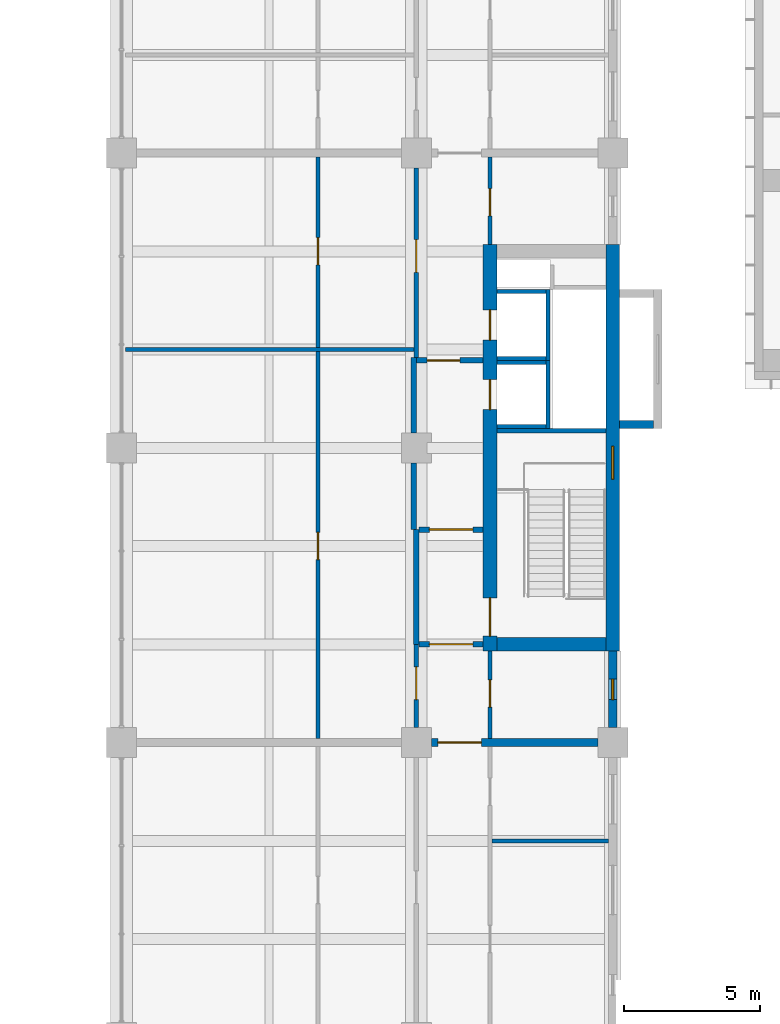
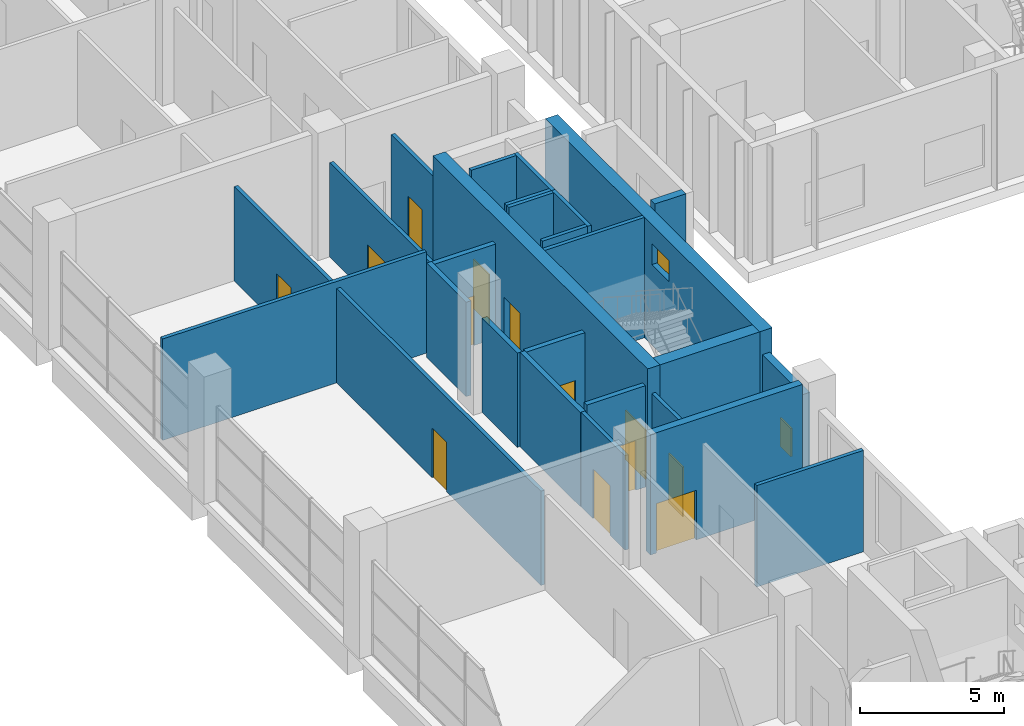
# One storey, part 22 of 33: 27 walls, 13 doors, 2 windows, 15 openings.
"""IFC4 building model written with IfcOpenShell, lengths in metres."""

from ifc_helpers import new_model, si_unit, direction, frame, frame_2d, origin, place, context, subcontext, project, spatial, rectangle, extrude, material, layer, layer_set, type_object, element, fill, save


model = new_model("IFC4")

# Units and contexts
model_context = context("Model", 3, precision=1e-05, world=origin(), true_north=direction((0.0, 1.0)))
body_context = subcontext(model_context, "Body", "Model", "MODEL_VIEW")
ifc_project = project(units=[si_unit("LENGTHUNIT", "METRE"), si_unit("AREAUNIT", "SQUARE_METRE"), si_unit("VOLUMEUNIT", "CUBIC_METRE"), si_unit("PLANEANGLEUNIT", "RADIAN"), si_unit("MASSUNIT", "GRAM", prefix="KILO")], contexts=[model_context])

# Site, building, storey
site_placement = place(None, origin())
site = spatial("IfcSite", under=ifc_project, at=site_placement, CompositionType="ELEMENT")
building_placement = place(site_placement, origin())
building = spatial("IfcBuilding", under=site, at=building_placement, Name="Basin Gate Institute", CompositionType="ELEMENT")
storey_placement = place(building_placement, frame((0.0, 0.0, 6.0)))
storey = spatial("IfcBuildingStorey", under=building, at=storey_placement, Name="L01", CompositionType="ELEMENT", Elevation=6.0)

# Wall, opening, door
ifc_material_1 = material(Name="Fire-rated masonry", Category="masonry")
ifc_layer_1 = layer(ifc_material_1, 0.199951171875)
ifc_layer_set_1 = layer_set([ifc_layer_1], Name="Enclosure wall PW2 200 EI 60")
wall_type_1 = type_object("IfcWallType", Name="Enclosure wall PW2 200 EI 60", PredefinedType="PARTITIONING", material=ifc_layer_set_1)
wall_1_placement = place(storey_placement, frame((114.050048828125, 60.300048828125, 0.0), z_axis=(0.0, 0.0, 1.0), x_axis=(-1.0, 0.0, 0.0)))
wall_1 = element("IfcWall", 1, at=wall_1_placement, inside=storey, type_object=wall_type_1, material=ifc_layer_set_1, Name="Smoke lobby enclosure wall PW2 L01", PredefinedType="PARTITIONING", context=body_context, shape_type="SweptSolid", body=[
    extrude(rectangle(XDim=2.35009765625, YDim=0.199951171875, at=frame_2d((1.175048828125, 0.0))), origin(), (0.0, 0.0, 1.0), 4.300048828125),
])
opening_1_placement = place(wall_1_placement, frame((0.375, 0.0, 0.0)))
opening_1 = element("IfcOpeningElement", 2, at=opening_1_placement, cuts=wall_1, Name="Opening DR068", PredefinedType="OPENING", context=body_context, shape_type="SweptSolid", body=[
    extrude(rectangle(XDim=1.60009765625, YDim=2.10009765625, at=frame_2d((0.800048828125, 1.050048828125))), frame((0.0, 0.10986328125, 0.0), z_axis=(0.0, -1.0, 0.0), x_axis=(1.0, 0.0, 0.0)), (0.0, 0.0, 1.0), 0.219970703125),
])
ifc_material_2 = material(Name="Steel fire door", Category="steel")
door_type_1 = type_object("IfcDoorType", Name="FD60 Smoke lobby door pair D8", OperationType="DOUBLE_DOOR_SINGLE_SWING", PredefinedType="DOOR", material=ifc_material_2)
door_1_placement = place(opening_1_placement, frame((1.60009765625, 0.0, 0.0), z_axis=(0.0, 0.0, 1.0), x_axis=(-1.0, 0.0, 0.0)))
door_1 = element("IfcDoor", 3, at=door_1_placement, inside=storey, type_object=door_type_1, material=ifc_material_2, Name="Smoke lobby door SS5 L01", OperationType="DOUBLE_DOOR_SINGLE_SWING", OverallHeight=2.10009765625, OverallWidth=1.60009765625, PredefinedType="DOOR", context=body_context, shape_type="SweptSolid", body=[
    extrude(rectangle(XDim=1.60009765625, YDim=2.10009765625, at=frame_2d((0.800048828125, 1.050048828125))), frame((0.0, 0.02490234375, 0.0), z_axis=(0.0, -1.0, 0.0), x_axis=(1.0, 0.0, 0.0)), (0.0, 0.0, 1.0), 0.050048828125),
])
fill(opening_1, door_1)

wall_2_placement = place(storey_placement, frame((114.050048828125, 64.5, 0.0), z_axis=(0.0, 0.0, 1.0), x_axis=(-1.0, 0.0, 0.0)))
wall_2 = element("IfcWall", 4, at=wall_2_placement, inside=storey, type_object=wall_type_1, material=ifc_layer_set_1, Name="Smoke lobby enclosure wall PW2 L01", PredefinedType="PARTITIONING", context=body_context, shape_type="SweptSolid", body=[
    extrude(rectangle(XDim=2.35009765625, YDim=0.199951171875, at=frame_2d((1.175048828125, 0.0))), origin(), (0.0, 0.0, 1.0), 4.0),
])
opening_2_placement = place(wall_2_placement, frame((0.375, 0.0, 0.0)))
opening_2 = element("IfcOpeningElement", 5, at=opening_2_placement, cuts=wall_2, Name="Opening DR069", PredefinedType="OPENING", context=body_context, shape_type="SweptSolid", body=[
    extrude(rectangle(XDim=1.60009765625, YDim=2.10009765625, at=frame_2d((0.800048828125, 1.050048828125))), frame((0.0, 0.10986328125, 0.0), z_axis=(0.0, -1.0, 0.0), x_axis=(1.0, 0.0, 0.0)), (0.0, 0.0, 1.0), 0.219970703125),
])
door_2_placement = place(opening_2_placement, origin())
door_2 = element("IfcDoor", 6, at=door_2_placement, inside=storey, type_object=door_type_1, material=ifc_material_2, Name="Smoke lobby door SS5 L01", OperationType="DOUBLE_DOOR_SINGLE_SWING", OverallHeight=2.10009765625, OverallWidth=1.60009765625, PredefinedType="DOOR", context=body_context, shape_type="SweptSolid", body=[
    extrude(rectangle(XDim=1.60009765625, YDim=2.10009765625, at=frame_2d((0.800048828125, 1.050048828125))), frame((0.0, 0.02490234375, 0.0), z_axis=(0.0, -1.0, 0.0), x_axis=(1.0, 0.0, 0.0)), (0.0, 0.0, 1.0), 0.050048828125),
])
fill(opening_2, door_2)

# Wall
wall_3_placement = place(storey_placement, frame((111.60009765625, 60.300048828125, 0.0), z_axis=(0.0, 0.0, 1.0), x_axis=(0.0, 1.0, 0.0)))
element("IfcWall", 7, at=wall_3_placement, inside=storey, type_object=wall_type_1, material=ifc_layer_set_1, Name="Smoke lobby enclosure wall PW2 L01", PredefinedType="PARTITIONING", context=body_context, shape_type="SweptSolid", body=[
    extrude(rectangle(XDim=4.199951171875, YDim=0.199951171875, at=frame_2d((2.10009765625, 0.0))), origin(), (0.0, 0.0, 1.0), 4.0),
])

# Wall, opening, door
wall_4_placement = place(storey_placement, frame((114.050048828125, 70.699951171875, 0.0), z_axis=(0.0, 0.0, 1.0), x_axis=(-1.0, 0.0, 0.0)))
wall_4 = element("IfcWall", 8, at=wall_4_placement, inside=storey, type_object=wall_type_1, material=ifc_layer_set_1, Name="Emergency lift lobby wall PW2 L01", PredefinedType="PARTITIONING", context=body_context, shape_type="SweptSolid", body=[
    extrude(rectangle(XDim=2.449951171875, YDim=0.199951171875, at=frame_2d((1.22509765625, 0.0))), origin(), (0.0, 0.0, 1.0), 4.0),
])
opening_3_placement = place(wall_4_placement, frame((0.85009765625, 0.0, 0.0)))
opening_3 = element("IfcOpeningElement", 9, at=opening_3_placement, cuts=wall_4, Name="Opening DR066", PredefinedType="OPENING", context=body_context, shape_type="SweptSolid", body=[
    extrude(rectangle(XDim=1.199951171875, YDim=2.10009765625, at=frame_2d((0.60009765625, 1.050048828125))), frame((0.0, 0.10986328125, 0.0), z_axis=(0.0, -1.0, 0.0), x_axis=(1.0, 0.0, 0.0)), (0.0, 0.0, 1.0), 0.219970703125),
])
ifc_material_3 = material(Name="Steel fire door", Category="steel")
door_type_2 = type_object("IfcDoorType", Name="FD60 Emergency lift lobby door D9", OperationType="NOTDEFINED", PredefinedType="DOOR", material=ifc_material_3)
door_3_placement = place(opening_3_placement, origin())
door_3 = element("IfcDoor", 10, at=door_3_placement, inside=storey, type_object=door_type_2, material=ifc_material_3, Name="Emergency lift lobby door LF2 L01", OperationType="SINGLE_SWING_RIGHT", OverallHeight=2.10009765625, OverallWidth=1.199951171875, PredefinedType="DOOR", context=body_context, shape_type="SweptSolid", body=[
    extrude(rectangle(XDim=1.199951171875, YDim=2.10009765625, at=frame_2d((0.60009765625, 1.050048828125))), frame((0.0, 0.02490234375, 0.0), z_axis=(0.0, -1.0, 0.0), x_axis=(1.0, 0.0, 0.0)), (0.0, 0.0, 1.0), 0.050048828125),
])
fill(opening_3, door_3)

# Walls
wall_5_placement = place(storey_placement, frame((111.5, 64.5, 0.0), z_axis=(0.0, 0.0, 1.0), x_axis=(0.0, 1.0, 0.0)))
element("IfcWall", 11, at=wall_5_placement, inside=storey, type_object=wall_type_1, material=ifc_layer_set_1, Name="Emergency lift lobby wall PW2 L01", PredefinedType="PARTITIONING", context=body_context, shape_type="SweptSolid", body=[
    extrude(rectangle(XDim=2.449951171875, YDim=0.199951171875, at=frame_2d((1.22509765625, 0.0))), origin(), (0.0, 0.0, 1.0), 4.0),
])
wall_6_placement = place(storey_placement, frame((111.5, 68.050048828125, 0.0), z_axis=(0.0, 0.0, 1.0), x_axis=(0.0, 1.0, 0.0)))
element("IfcWall", 12, at=wall_6_placement, inside=storey, type_object=wall_type_1, material=ifc_layer_set_1, Name="Emergency lift lobby wall PW2 L01", PredefinedType="PARTITIONING", context=body_context, shape_type="SweptSolid", body=[
    extrude(rectangle(XDim=2.75, YDim=0.199951171875, at=frame_2d((1.375, 0.0))), origin(), (0.0, 0.0, 1.0), 4.0),
])

# Wall, opening, window
ifc_material_4 = material(Name="Aluminium-faced insulated panel wall", Category="aluminium")
ifc_layer_2 = layer(ifc_material_4, 0.300048828125)
ifc_layer_set_2 = layer_set([ifc_layer_2], Name="External wall EW1 EI 120")
wall_type_2 = type_object("IfcWallType", Name="External wall EW1 EI 120", PredefinedType="STANDARD", material=ifc_layer_set_2)
wall_7_placement = place(storey_placement, frame((118.800048828125, 57.25, 0.0), z_axis=(0.0, 0.0, 1.0), x_axis=(0.0, 1.0, 0.0)))
wall_7 = element("IfcWall", 13, at=wall_7_placement, inside=storey, type_object=wall_type_2, material=ifc_layer_set_2, Name="External wall E facade L01 2", PredefinedType="STANDARD", context=body_context, shape_type="SweptSolid", body=[
    extrude(rectangle(XDim=2.800048828125, YDim=0.300048828125, at=frame_2d((1.39990234375, 0.0))), origin(), (0.0, 0.0, 1.0), 4.10009765625),
])
opening_4_placement = place(wall_7_placement, frame((1.02490234375, 0.0, 0.800048828125)))
opening_4 = element("IfcOpeningElement", 14, at=opening_4_placement, cuts=wall_7, Name="Opening WN3", PredefinedType="OPENING", context=body_context, shape_type="SweptSolid", body=[
    extrude(rectangle(XDim=0.75, YDim=1.199951171875, at=frame_2d((0.375, 0.60009765625))), frame((0.0, 0.16015625, 0.0), z_axis=(0.0, -1.0, 0.0), x_axis=(1.0, 0.0, 0.0)), (0.0, 0.0, 1.0), 0.320068359375),
])
ifc_material_5 = material(Name="Aluminium-framed double glazing", Category="aluminium")
window_type_1 = type_object("IfcWindowType", Name="Emergency entry panel WN3", PartitioningType="SINGLE_PANEL", PredefinedType="WINDOW", material=ifc_material_5)
window_1_placement = place(opening_4_placement, origin())
window_1 = element("IfcWindow", 15, at=window_1_placement, inside=storey, type_object=window_type_1, material=ifc_material_5, Name="Emergency entry panel E facade L01 bay 7", OverallHeight=1.199951171875, OverallWidth=0.75, PartitioningType="SINGLE_PANEL", PredefinedType="WINDOW", context=body_context, shape_type="SweptSolid", body=[
    extrude(rectangle(XDim=0.75, YDim=1.199951171875, at=frame_2d((0.375, 0.60009765625))), frame((0.0, 0.030029296875, 0.0), z_axis=(0.0, -1.0, 0.0), x_axis=(1.0, 0.0, 0.0)), (0.0, 0.0, 1.0), 0.06005859375),
])
fill(opening_4, window_1)

# Wall, opening, door
ifc_material_6 = material(Name="Gypsum board on steel stud", Category="steel")
ifc_layer_3 = layer(ifc_material_6, 0.14990234375)
ifc_layer_set_3 = layer_set([ifc_layer_3], Name="Gypsum board on steel stud")
wall_type_3 = type_object("IfcWallType", Name="Partition PW1 150 EI 60", PredefinedType="PARTITIONING", material=ifc_layer_set_3)
wall_8_placement = place(storey_placement, frame((114.300048828125, 56.85009765625, 0.0), z_axis=(0.0, 0.0, 1.0), x_axis=(0.0, 1.0, 0.0)))
wall_8 = element("IfcWall", 16, at=wall_8_placement, inside=storey, type_object=wall_type_3, material=ifc_layer_set_3, Name="Corridor wall PW1 L01", PredefinedType="PARTITIONING", context=body_context, shape_type="SweptSolid", body=[
    extrude(rectangle(XDim=3.199951171875, YDim=0.14990234375, at=frame_2d((1.60009765625, 0.0))), origin(), (0.0, 0.0, 1.0), 4.0),
])
opening_5_placement = place(wall_8_placement, frame((1.14990234375, 0.0, 0.0)))
opening_5 = element("IfcOpeningElement", 17, at=opening_5_placement, cuts=wall_8, Name="Opening DR063", PredefinedType="OPENING", context=body_context, shape_type="SweptSolid", body=[
    extrude(rectangle(XDim=1.0, YDim=2.10009765625, at=frame_2d((0.5, 1.050048828125))), frame((0.0, 0.0849609375, 0.0), z_axis=(0.0, -1.0, 0.0), x_axis=(1.0, 0.0, 0.0)), (0.0, 0.0, 1.0), 0.169921875),
])
ifc_material_7 = material(Name="Timber fire door", Category="wood")
door_type_3 = type_object("IfcDoorType", Name="FD30 Office door D1", OperationType="NOTDEFINED", PredefinedType="DOOR", material=ifc_material_7)
door_4_placement = place(opening_5_placement, frame((1.0, 0.0, 0.0), z_axis=(0.0, 0.0, 1.0), x_axis=(-1.0, 0.0, 0.0)))
door_4 = element("IfcDoor", 18, at=door_4_placement, inside=storey, type_object=door_type_3, material=ifc_material_7, Name="Door to Meeting Room 0153 L01", OperationType="SINGLE_SWING_LEFT", OverallHeight=2.10009765625, OverallWidth=1.0, PredefinedType="DOOR", context=body_context, shape_type="SweptSolid", body=[
    extrude(rectangle(XDim=1.0, YDim=2.10009765625, at=frame_2d((0.5, 1.050048828125))), frame((0.0, 0.02490234375, 0.0), z_axis=(0.0, -1.0, 0.0), x_axis=(1.0, 0.0, 0.0)), (0.0, 0.0, 1.0), 0.050048828125),
])
fill(opening_5, door_4)

wall_9_placement = place(storey_placement, frame((114.300048828125, 74.949951171875, 0.0), z_axis=(0.0, 0.0, 1.0), x_axis=(0.0, 1.0, 0.0)))
wall_9 = element("IfcWall", 19, at=wall_9_placement, inside=storey, type_object=wall_type_3, material=ifc_layer_set_3, Name="Corridor wall PW1 L01", PredefinedType="PARTITIONING", context=body_context, shape_type="SweptSolid", body=[
    extrude(rectangle(XDim=3.199951171875, YDim=0.14990234375, at=frame_2d((1.60009765625, 0.0))), origin(), (0.0, 0.0, 1.0), 4.0),
])
opening_6_placement = place(wall_9_placement, frame((1.050048828125, 0.0, 0.0)))
opening_6 = element("IfcOpeningElement", 20, at=opening_6_placement, cuts=wall_9, Name="Opening DR065", PredefinedType="OPENING", context=body_context, shape_type="SweptSolid", body=[
    extrude(rectangle(XDim=1.0, YDim=2.10009765625, at=frame_2d((0.5, 1.050048828125))), frame((0.0, 0.0849609375, 0.0), z_axis=(0.0, -1.0, 0.0), x_axis=(1.0, 0.0, 0.0)), (0.0, 0.0, 1.0), 0.169921875),
])
door_5_placement = place(opening_6_placement, frame((1.0, 0.0, 0.0), z_axis=(0.0, 0.0, 1.0), x_axis=(-1.0, 0.0, 0.0)))
door_5 = element("IfcDoor", 21, at=door_5_placement, inside=storey, type_object=door_type_3, material=ifc_material_7, Name="Door to Write-up Office 0154 L01", OperationType="SINGLE_SWING_RIGHT", OverallHeight=2.10009765625, OverallWidth=1.0, PredefinedType="DOOR", context=body_context, shape_type="SweptSolid", body=[
    extrude(rectangle(XDim=1.0, YDim=2.10009765625, at=frame_2d((0.5, 1.050048828125))), frame((0.0, 0.02490234375, 0.0), z_axis=(0.0, -1.0, 0.0), x_axis=(1.0, 0.0, 0.0)), (0.0, 0.0, 1.0), 0.050048828125),
])
fill(opening_6, door_5)

wall_10_placement = place(storey_placement, frame((111.60009765625, 57.25, 0.0), z_axis=(0.0, 0.0, 1.0), x_axis=(0.0, 1.0, 0.0)))
wall_10 = element("IfcWall", 22, at=wall_10_placement, inside=storey, type_object=wall_type_3, material=ifc_layer_set_3, Name="Laboratory corridor wall PW1 L01", PredefinedType="PARTITIONING", context=body_context, shape_type="SweptSolid", body=[
    extrude(rectangle(XDim=3.050048828125, YDim=0.14990234375, at=frame_2d((1.52490234375, 0.0))), origin(), (0.0, 0.0, 1.0), 4.0),
])
opening_7_placement = place(wall_10_placement, frame((1.02490234375, 0.0, 0.0)))
opening_7 = element("IfcOpeningElement", 23, at=opening_7_placement, cuts=wall_10, Name="Opening DR055", PredefinedType="OPENING", context=body_context, shape_type="SweptSolid", body=[
    extrude(rectangle(XDim=1.199951171875, YDim=2.10009765625, at=frame_2d((0.60009765625, 1.050048828125))), frame((0.0, 0.0849609375, 0.0), z_axis=(0.0, -1.0, 0.0), x_axis=(1.0, 0.0, 0.0)), (0.0, 0.0, 1.0), 0.169921875),
])
ifc_material_8 = material(Name="Timber fire door", Category="wood")
door_type_4 = type_object("IfcDoorType", Name="FD30 Laboratory door D2", OperationType="DOUBLE_DOOR_SINGLE_SWING", PredefinedType="DOOR", material=ifc_material_8)
door_6_placement = place(opening_7_placement, origin())
door_6 = element("IfcDoor", 24, at=door_6_placement, inside=storey, type_object=door_type_4, material=ifc_material_8, Name="Door to Gowning Airlock 0170 L01", OperationType="DOUBLE_DOOR_SINGLE_SWING", OverallHeight=2.10009765625, OverallWidth=1.199951171875, PredefinedType="DOOR", context=body_context, shape_type="SweptSolid", body=[
    extrude(rectangle(XDim=1.199951171875, YDim=2.10009765625, at=frame_2d((0.60009765625, 1.050048828125))), frame((0.0, 0.02490234375, 0.0), z_axis=(0.0, -1.0, 0.0), x_axis=(1.0, 0.0, 0.0)), (0.0, 0.0, 1.0), 0.050048828125),
])
fill(opening_7, door_6)

wall_11_placement = place(storey_placement, frame((111.60009765625, 70.800048828125, 0.0), z_axis=(0.0, 0.0, 1.0), x_axis=(0.0, 1.0, 0.0)))
wall_11 = element("IfcWall", 25, at=wall_11_placement, inside=storey, type_object=wall_type_3, material=ifc_layer_set_3, Name="Laboratory corridor wall PW1 L01", PredefinedType="PARTITIONING", context=body_context, shape_type="SweptSolid", body=[
    extrude(rectangle(XDim=6.949951171875, YDim=0.14990234375, at=frame_2d((3.47509765625, 0.0))), origin(), (0.0, 0.0, 1.0), 4.0),
])
opening_8_placement = place(wall_11_placement, frame((3.125, 0.0, 0.0)))
opening_8 = element("IfcOpeningElement", 26, at=opening_8_placement, cuts=wall_11, Name="Opening DR056", PredefinedType="OPENING", context=body_context, shape_type="SweptSolid", body=[
    extrude(rectangle(XDim=1.199951171875, YDim=2.10009765625, at=frame_2d((0.60009765625, 1.050048828125))), frame((0.0, 0.0849609375, 0.0), z_axis=(0.0, -1.0, 0.0), x_axis=(1.0, 0.0, 0.0)), (0.0, 0.0, 1.0), 0.169921875),
])
door_7_placement = place(opening_8_placement, origin())
door_7 = element("IfcDoor", 27, at=door_7_placement, inside=storey, type_object=door_type_4, material=ifc_material_8, Name="Door to Gowning Airlock 0172 L01", OperationType="DOUBLE_DOOR_SINGLE_SWING", OverallHeight=2.10009765625, OverallWidth=1.199951171875, PredefinedType="DOOR", context=body_context, shape_type="SweptSolid", body=[
    extrude(rectangle(XDim=1.199951171875, YDim=2.10009765625, at=frame_2d((0.60009765625, 1.050048828125))), frame((0.0, 0.02490234375, 0.0), z_axis=(0.0, -1.0, 0.0), x_axis=(1.0, 0.0, 0.0)), (0.0, 0.0, 1.0), 0.050048828125),
])
fill(opening_8, door_7)

wall_12_placement = place(storey_placement, frame((108.0, 56.85009765625, 0.0), z_axis=(0.0, 0.0, 1.0), x_axis=(0.0, 1.0, 0.0)))
wall_12 = element("IfcWall", 28, at=wall_12_placement, inside=storey, type_object=wall_type_3, material=ifc_layer_set_3, Name="Clean room wall PW1 L01", PredefinedType="PARTITIONING", context=body_context, shape_type="SweptSolid", body=[
    extrude(rectangle(XDim=14.1748046875, YDim=0.14990234375, at=frame_2d((7.08740234375, 0.0))), origin(), (0.0, 0.0, 1.0), 4.0),
])
opening_9_placement = place(wall_12_placement, frame((6.550048828125, 0.0, 0.0)))
opening_9 = element("IfcOpeningElement", 29, at=opening_9_placement, cuts=wall_12, Name="Opening DR049", PredefinedType="OPENING", context=body_context, shape_type="SweptSolid", body=[
    extrude(rectangle(XDim=1.0, YDim=2.10009765625, at=frame_2d((0.5, 1.050048828125))), frame((0.0, 0.0849609375, 0.0), z_axis=(0.0, -1.0, 0.0), x_axis=(1.0, 0.0, 0.0)), (0.0, 0.0, 1.0), 0.169921875),
])
ifc_material_9 = material(Name="Steel fire door", Category="steel")
door_type_5 = type_object("IfcDoorType", Name="FD30 Airlock door D5", OperationType="NOTDEFINED", PredefinedType="DOOR", material=ifc_material_9)
door_8_placement = place(opening_9_placement, origin())
door_8 = element("IfcDoor", 30, at=door_8_placement, inside=storey, type_object=door_type_5, material=ifc_material_9, Name="Clean room entry door Clean Room ISO 7 0170 L01", OperationType="SINGLE_SWING_LEFT", OverallHeight=2.10009765625, OverallWidth=1.0, PredefinedType="DOOR", context=body_context, shape_type="SweptSolid", body=[
    extrude(rectangle(XDim=1.0, YDim=2.10009765625, at=frame_2d((0.5, 1.050048828125))), frame((0.0, 0.02490234375, 0.0), z_axis=(0.0, -1.0, 0.0), x_axis=(1.0, 0.0, 0.0)), (0.0, 0.0, 1.0), 0.050048828125),
])
fill(opening_9, door_8)

wall_13_placement = place(storey_placement, frame((108.0, 71.175048828125, 0.0), z_axis=(0.0, 0.0, 1.0), x_axis=(0.0, 1.0, 0.0)))
wall_13 = element("IfcWall", 31, at=wall_13_placement, inside=storey, type_object=wall_type_3, material=ifc_layer_set_3, Name="Clean room wall PW1 L01", PredefinedType="PARTITIONING", context=body_context, shape_type="SweptSolid", body=[
    extrude(rectangle(XDim=6.974853515625, YDim=0.14990234375, at=frame_2d((3.4873046875, 0.0))), origin(), (0.0, 0.0, 1.0), 4.0),
])
opening_10_placement = place(wall_13_placement, frame((3.02490234375, 0.0, 0.0)))
opening_10 = element("IfcOpeningElement", 32, at=opening_10_placement, cuts=wall_13, Name="Opening DR045", PredefinedType="OPENING", context=body_context, shape_type="SweptSolid", body=[
    extrude(rectangle(XDim=1.0, YDim=2.10009765625, at=frame_2d((0.5, 1.050048828125))), frame((0.0, 0.0849609375, 0.0), z_axis=(0.0, -1.0, 0.0), x_axis=(1.0, 0.0, 0.0)), (0.0, 0.0, 1.0), 0.169921875),
])
door_9_placement = place(opening_10_placement, origin())
door_9 = element("IfcDoor", 33, at=door_9_placement, inside=storey, type_object=door_type_5, material=ifc_material_9, Name="Clean room entry door Clean Room ISO 6 0172 L01", OperationType="SINGLE_SWING_RIGHT", OverallHeight=2.10009765625, OverallWidth=1.0, PredefinedType="DOOR", context=body_context, shape_type="SweptSolid", body=[
    extrude(rectangle(XDim=1.0, YDim=2.10009765625, at=frame_2d((0.5, 1.050048828125))), frame((0.0, 0.02490234375, 0.0), z_axis=(0.0, -1.0, 0.0), x_axis=(1.0, 0.0, 0.0)), (0.0, 0.0, 1.0), 0.050048828125),
])
fill(opening_10, door_9)

# Walls
wall_14_placement = place(storey_placement, frame((111.52490234375, 71.10009765625, 0.0), z_axis=(0.0, 0.0, 1.0), x_axis=(-1.0, 0.0, 0.0)))
element("IfcWall", 34, at=wall_14_placement, inside=storey, type_object=wall_type_3, material=ifc_layer_set_3, Name="Clean room wall PW1 L01", PredefinedType="PARTITIONING", context=body_context, shape_type="SweptSolid", body=[
    extrude(rectangle(XDim=10.574951171875, YDim=0.14990234375, at=frame_2d((5.28759765625, 0.0))), origin(), (0.0, 0.0, 1.0), 4.300048828125),
])
ifc_material_10 = material(Name="Gypsum board on steel stud", Category="steel")
ifc_layer_4 = layer(ifc_material_10, 0.14990234375)
ifc_layer_set_4 = layer_set([ifc_layer_4], Name="Gypsum board on steel stud")
wall_type_4 = type_object("IfcWallType", Name="Partition PW4 150", PredefinedType="PARTITIONING", material=ifc_layer_set_4)
wall_15_placement = place(storey_placement, frame((118.64990234375, 53.10009765625, 0.0), z_axis=(0.0, 0.0, 1.0), x_axis=(-1.0, 0.0, 0.0)))
element("IfcWall", 35, at=wall_15_placement, inside=storey, type_object=wall_type_4, material=ifc_layer_set_4, Name="Office partition PW4 L01", PredefinedType="PARTITIONING", context=body_context, shape_type="SweptSolid", body=[
    extrude(rectangle(XDim=4.27490234375, YDim=0.14990234375, at=frame_2d((2.137451171875, 0.0))), origin(), (0.0, 0.0, 1.0), 4.300048828125),
])
ifc_material_11 = material(Name="Concrete 40 MPa", Category="concrete")
ifc_layer_5 = layer(ifc_material_11, 0.14990234375)
ifc_layer_set_5 = layer_set([ifc_layer_5], Name="Concrete 40 MPa")
wall_type_5 = type_object("IfcWallType", Name="Wall LS1 lift shaft enclosure R180", PredefinedType="SOLIDWALL", material=ifc_layer_set_5)
wall_16_placement = place(storey_placement, frame((116.425048828125, 68.199951171875, 0.0), z_axis=(0.0, 0.0, 1.0), x_axis=(0.0, 1.0, 0.0)))
element("IfcWall", 36, at=wall_16_placement, inside=storey, type_object=wall_type_5, material=ifc_layer_set_5, Name="Lift shaft enclosure LF2 L01 UL", PredefinedType="SOLIDWALL", context=body_context, shape_type="SweptSolid", body=[
    extrude(rectangle(XDim=2.5, YDim=0.14990234375, at=frame_2d((1.25, 0.0))), origin(), (0.0, 0.0, 1.0), 5.39990234375),
])
for number, where, z_axis, x_axis, name in (
    (37, (116.35009765625, 68.27490234375, 0.0), (0.0, 0.0, 1.0), (-1.0, 0.0, 0.0), "Lift shaft enclosure LF2 L01 RL"),
    (38, (116.35009765625, 70.625, 0.0), (0.0, 0.0, 1.0), (-1.0, 0.0, 0.0), "Lift shaft enclosure LF2 L01 RH"),
):
    element("IfcWall", number, at=place(storey_placement, frame(where, z_axis=z_axis, x_axis=x_axis)), inside=storey, type_object=wall_type_5, material=ifc_layer_set_5, Name=name, PredefinedType="SOLIDWALL", context=body_context, shape_type="SweptSolid", body=[
        extrude(rectangle(XDim=1.800048828125, YDim=0.14990234375, at=frame_2d((0.89990234375, 0.0))), origin(), (0.0, 0.0, 1.0), 5.39990234375),
    ])
wall_17_placement = place(storey_placement, frame((116.425048828125, 70.699951171875, 0.0), z_axis=(0.0, 0.0, 1.0), x_axis=(0.0, 1.0, 0.0)))
element("IfcWall", 39, at=wall_17_placement, inside=storey, type_object=wall_type_5, material=ifc_layer_set_5, Name="Lift shaft enclosure LP5 L01 UL", PredefinedType="SOLIDWALL", context=body_context, shape_type="SweptSolid", body=[
    extrude(rectangle(XDim=2.60009765625, YDim=0.14990234375, at=frame_2d((1.300048828125, 0.0))), origin(), (0.0, 0.0, 1.0), 5.39990234375),
])
for number, where, z_axis, x_axis, name in (
    (40, (116.35009765625, 70.77490234375, 0.0), (0.0, 0.0, 1.0), (-1.0, 0.0, 0.0), "Lift shaft enclosure LP5 L01 RL"),
    (41, (116.35009765625, 73.22509765625, 0.0), (0.0, 0.0, 1.0), (-1.0, 0.0, 0.0), "Lift shaft enclosure LP5 L01 RH"),
):
    element("IfcWall", number, at=place(storey_placement, frame(where, z_axis=z_axis, x_axis=x_axis)), inside=storey, type_object=wall_type_5, material=ifc_layer_set_5, Name=name, PredefinedType="SOLIDWALL", context=body_context, shape_type="SweptSolid", body=[
        extrude(rectangle(XDim=1.800048828125, YDim=0.14990234375, at=frame_2d((0.89990234375, 0.0))), origin(), (0.0, 0.0, 1.0), 5.39990234375),
    ])
ifc_material_12 = material(Name="Concrete 40 MPa", Category="concrete")
ifc_layer_6 = layer(ifc_material_12, 0.14990234375)
ifc_layer_set_6 = layer_set([ifc_layer_6], Name="Concrete 40 MPa")
wall_type_6 = type_object("IfcWallType", Name="Wall SE1 stair enclosure R180", PredefinedType="SOLIDWALL", material=ifc_layer_set_6)
wall_18_placement = place(storey_placement, frame((118.550048828125, 68.125, 0.0), z_axis=(0.0, 0.0, 1.0), x_axis=(-1.0, 0.0, 0.0)))
element("IfcWall", 42, at=wall_18_placement, inside=storey, type_object=wall_type_6, material=ifc_layer_set_6, Name="Stair enclosure wall ST-EM L01", PredefinedType="SOLIDWALL", context=body_context, shape_type="SweptSolid", body=[
    extrude(rectangle(XDim=4.0, YDim=0.14990234375, at=frame_2d((2.0, 0.0))), origin(), (0.0, 0.0, 1.0), 5.10009765625),
])
ifc_material_13 = material(Name="Concrete 50 MPa", Category="concrete")
ifc_layer_7 = layer(ifc_material_13, 0.300048828125)
ifc_layer_set_7 = layer_set([ifc_layer_7], Name="Concrete 50 MPa")
wall_type_7 = type_object("IfcWallType", Name="Wall SK1 R180", PredefinedType="SHEAR", material=ifc_layer_set_7)
wall_19_placement = place(storey_placement, frame((119.050048828125, 68.35009765625, 0.0), z_axis=(0.0, 0.0, 1.0), x_axis=(1.0, 0.0, 0.0)))
element("IfcWall", 43, at=wall_19_placement, inside=storey, type_object=wall_type_7, material=ifc_layer_set_7, Name="Spine riser stack wall SK1 EM A L01", PredefinedType="SHEAR", context=body_context, shape_type="SweptSolid", body=[
    extrude(rectangle(XDim=1.25, YDim=0.300048828125, at=frame_2d((0.625, 0.0))), origin(), (0.0, 0.0, 1.0), 5.39990234375),
])

# Wall, opening, window
ifc_material_14 = material(Name="Concrete 60 MPa", Category="concrete")
ifc_layer_8 = layer(ifc_material_14, 0.5)
ifc_layer_set_8 = layer_set([ifc_layer_8], Name="Concrete 60 MPa")
wall_type_8 = type_object("IfcWallType", Name="Wall SW1 R180", PredefinedType="SHEAR", material=ifc_layer_set_8)
wall_20_placement = place(storey_placement, frame((118.800048828125, 60.050048828125, 0.0), z_axis=(0.0, 0.0, 1.0), x_axis=(0.0, 1.0, 0.0)))
wall_20 = element("IfcWall", 44, at=wall_20_placement, inside=storey, type_object=wall_type_8, material=ifc_layer_set_8, Name="WALL/L01/EM/L", PredefinedType="SHEAR", context=body_context, shape_type="SweptSolid", body=[
    extrude(rectangle(XDim=14.89990234375, YDim=0.5, at=frame_2d((7.449951171875, 0.0))), origin(), (0.0, 0.0, 1.0), 5.10009765625),
])
opening_11_placement = place(wall_20_placement, frame((6.300048828125, 0.0, 3.39990234375)))
opening_11 = element("IfcOpeningElement", 45, at=opening_11_placement, cuts=wall_20, Name="Opening WT1", PredefinedType="OPENING", context=body_context, shape_type="SweptSolid", body=[
    extrude(rectangle(XDim=1.199951171875, YDim=0.89990234375, at=frame_2d((0.60009765625, 0.449951171875))), frame((0.0, 0.260009765625, 0.0), z_axis=(0.0, -1.0, 0.0), x_axis=(1.0, 0.0, 0.0)), (0.0, 0.0, 1.0), 0.52001953125),
])
ifc_material_15 = material(Name="Fire-resistant glazing in steel-free frame", Category="steel")
window_type_2 = type_object("IfcWindowType", Name="Rated stair window EI 180 WT1", PartitioningType="SINGLE_PANEL", PredefinedType="WINDOW", material=ifc_material_15)
window_2_placement = place(opening_11_placement, origin())
window_2 = element("IfcWindow", 46, at=window_2_placement, inside=storey, type_object=window_type_2, material=ifc_material_15, Name="Rated stair window EI 180 EM landing L01", OverallHeight=0.89990234375, OverallWidth=1.199951171875, PartitioningType="SINGLE_PANEL", PredefinedType="WINDOW", context=body_context, shape_type="SweptSolid", body=[
    extrude(rectangle(XDim=1.199951171875, YDim=0.89990234375, at=frame_2d((0.60009765625, 0.449951171875))), frame((0.0, 0.030029296875, 0.0), z_axis=(0.0, -1.0, 0.0), x_axis=(1.0, 0.0, 0.0)), (0.0, 0.0, 1.0), 0.06005859375),
])
fill(opening_11, window_2)

# Wall, openings, doors
wall_21_placement = place(storey_placement, frame((114.300048828125, 60.050048828125, 0.0), z_axis=(0.0, 0.0, 1.0), x_axis=(0.0, 1.0, 0.0)))
wall_21 = element("IfcWall", 47, at=wall_21_placement, inside=storey, type_object=wall_type_8, material=ifc_layer_set_8, Name="WALL/L01/EM/C", PredefinedType="SHEAR", context=body_context, shape_type="SweptSolid", body=[
    extrude(rectangle(XDim=14.89990234375, YDim=0.5, at=frame_2d((7.449951171875, 0.0))), origin(), (0.0, 0.0, 1.0), 5.10009765625),
])
opening_12_placement = place(wall_21_placement, frame((0.550048828125, 0.0, 0.0)))
opening_12 = element("IfcOpeningElement", 48, at=opening_12_placement, cuts=wall_21, Name="Opening DS011", PredefinedType="OPENING", context=body_context, shape_type="SweptSolid", body=[
    extrude(rectangle(XDim=1.39990234375, YDim=2.10009765625, at=frame_2d((0.699951171875, 1.050048828125))), frame((0.0, 0.260009765625, 0.0), z_axis=(0.0, -1.0, 0.0), x_axis=(1.0, 0.0, 0.0)), (0.0, 0.0, 1.0), 0.52001953125),
])
opening_13_placement = place(wall_21_placement, frame((8.85009765625, 0.0, 0.0)))
opening_13 = element("IfcOpeningElement", 49, at=opening_13_placement, cuts=wall_21, Name="Opening LD084", PredefinedType="OPENING", context=body_context, shape_type="SweptSolid", body=[
    extrude(rectangle(XDim=1.10009765625, YDim=2.10009765625, at=frame_2d((0.550048828125, 1.050048828125))), frame((0.0, 0.260009765625, 0.0), z_axis=(0.0, -1.0, 0.0), x_axis=(1.0, 0.0, 0.0)), (0.0, 0.0, 1.0), 0.52001953125),
])
opening_14_placement = place(wall_21_placement, frame((11.39990234375, 0.0, 0.0)))
opening_14 = element("IfcOpeningElement", 50, at=opening_14_placement, cuts=wall_21, Name="Opening LD096", PredefinedType="OPENING", context=body_context, shape_type="SweptSolid", body=[
    extrude(rectangle(XDim=1.10009765625, YDim=2.10009765625, at=frame_2d((0.550048828125, 1.050048828125))), frame((0.0, 0.260009765625, 0.0), z_axis=(0.0, -1.0, 0.0), x_axis=(1.0, 0.0, 0.0)), (0.0, 0.0, 1.0), 0.52001953125),
])
ifc_material_16 = material(Name="Steel fire door", Category="steel")
door_type_6 = type_object("IfcDoorType", Name="FD30 Stair enclosure door DS", OperationType="DOUBLE_DOOR_SINGLE_SWING", PredefinedType="DOOR", material=ifc_material_16)
door_10_placement = place(opening_12_placement, frame((1.39990234375, 0.0, 0.0), z_axis=(0.0, 0.0, 1.0), x_axis=(-1.0, 0.0, 0.0)))
door_10 = element("IfcDoor", 51, at=door_10_placement, inside=storey, type_object=door_type_6, material=ifc_material_16, Name="Stair enclosure door ST-EM L01", OperationType="DOUBLE_DOOR_SINGLE_SWING", OverallHeight=2.10009765625, OverallWidth=1.39990234375, PredefinedType="DOOR", context=body_context, shape_type="SweptSolid", body=[
    extrude(rectangle(XDim=1.39990234375, YDim=2.10009765625, at=frame_2d((0.699951171875, 1.050048828125))), frame((0.0, 0.02490234375, 0.0), z_axis=(0.0, -1.0, 0.0), x_axis=(1.0, 0.0, 0.0)), (0.0, 0.0, 1.0), 0.050048828125),
])
fill(opening_12, door_10)
ifc_material_17 = material(Name="Stainless steel", Category="steel")
door_type_7 = type_object("IfcDoorType", Name="FD60 Lift landing door LD", OperationType="SLIDING_TO_LEFT", PredefinedType="DOOR", material=ifc_material_17)
door_11_placement = place(opening_13_placement, origin())
door_11 = element("IfcDoor", 52, at=door_11_placement, inside=storey, type_object=door_type_7, material=ifc_material_17, Name="Lift landing door LF2 L01", OperationType="SLIDING_TO_LEFT", OverallHeight=2.10009765625, OverallWidth=1.10009765625, PredefinedType="DOOR", context=body_context, shape_type="SweptSolid", body=[
    extrude(rectangle(XDim=1.10009765625, YDim=2.10009765625, at=frame_2d((0.550048828125, 1.050048828125))), frame((0.0, 0.02490234375, 0.0), z_axis=(0.0, -1.0, 0.0), x_axis=(1.0, 0.0, 0.0)), (0.0, 0.0, 1.0), 0.050048828125),
])
fill(opening_13, door_11)
door_12_placement = place(opening_14_placement, origin())
door_12 = element("IfcDoor", 53, at=door_12_placement, inside=storey, type_object=door_type_7, material=ifc_material_17, Name="Lift landing door LP5 L01", OperationType="SLIDING_TO_LEFT", OverallHeight=2.10009765625, OverallWidth=1.10009765625, PredefinedType="DOOR", context=body_context, shape_type="SweptSolid", body=[
    extrude(rectangle(XDim=1.10009765625, YDim=2.10009765625, at=frame_2d((0.550048828125, 1.050048828125))), frame((0.0, 0.02490234375, 0.0), z_axis=(0.0, -1.0, 0.0), x_axis=(1.0, 0.0, 0.0)), (0.0, 0.0, 1.0), 0.050048828125),
])
fill(opening_14, door_12)

# Wall
wall_22_placement = place(storey_placement, frame((118.550048828125, 60.300048828125, 0.0), z_axis=(0.0, 0.0, 1.0), x_axis=(-1.0, 0.0, 0.0)))
element("IfcWall", 54, at=wall_22_placement, inside=storey, type_object=wall_type_8, material=ifc_layer_set_8, Name="WALL/L01/EM/S", PredefinedType="SHEAR", context=body_context, shape_type="SweptSolid", body=[
    extrude(rectangle(XDim=4.0, YDim=0.5, at=frame_2d((2.0, 0.0))), origin(), (0.0, 0.0, 1.0), 5.10009765625),
])

# Wall, opening, door
ifc_material_18 = material(Name="Concrete 50 MPa", Category="concrete")
ifc_layer_9 = layer(ifc_material_18, 0.300048828125)
ifc_layer_set_9 = layer_set([ifc_layer_9], Name="Concrete 50 MPa")
wall_type_9 = type_object("IfcWallType", Name="Wall XW1 R180", PredefinedType="SHEAR", material=ifc_layer_set_9)
wall_23_placement = place(storey_placement, frame((118.25, 56.699951171875, 0.0), z_axis=(0.0, 0.0, 1.0), x_axis=(-1.0, 0.0, 0.0)))
wall_23 = element("IfcWall", 55, at=wall_23_placement, inside=storey, type_object=wall_type_9, material=ifc_layer_set_9, Name="WALL/L01/EXC/1", PredefinedType="SHEAR", context=body_context, shape_type="SweptSolid", body=[
    extrude(rectangle(XDim=6.10009765625, YDim=0.300048828125, at=frame_2d((3.050048828125, 0.0))), origin(), (0.0, 0.0, 1.0), 5.10009765625),
])
opening_15_placement = place(wall_23_placement, frame((4.262451171875, 0.0, 0.0)))
opening_15 = element("IfcOpeningElement", 56, at=opening_15_placement, cuts=wall_23, Name="Opening DR071", PredefinedType="OPENING", context=body_context, shape_type="SweptSolid", body=[
    extrude(rectangle(XDim=1.60009765625, YDim=2.10009765625, at=frame_2d((0.800048828125, 1.050048828125))), frame((0.0, 0.16015625, 0.0), z_axis=(0.0, -1.0, 0.0), x_axis=(1.0, 0.0, 0.0)), (0.0, 0.0, 1.0), 0.320068359375),
])
ifc_material_19 = material(Name="Steel fire door", Category="steel")
door_type_8 = type_object("IfcDoorType", Name="FD60 Compartment door pair D7", OperationType="DOUBLE_DOOR_SINGLE_SWING", PredefinedType="DOOR", material=ifc_material_19)
door_13_placement = place(opening_15_placement, frame((1.60009765625, 0.0, 0.0), z_axis=(0.0, 0.0, 1.0), x_axis=(-1.0, 0.0, 0.0)))
door_13 = element("IfcDoor", 57, at=door_13_placement, inside=storey, type_object=door_type_8, material=ifc_material_19, Name="Compartment door pair L01 E1 L01", OperationType="DOUBLE_DOOR_SINGLE_SWING", OverallHeight=2.10009765625, OverallWidth=1.60009765625, PredefinedType="DOOR", context=body_context, shape_type="SweptSolid", body=[
    extrude(rectangle(XDim=1.60009765625, YDim=2.10009765625, at=frame_2d((0.800048828125, 1.050048828125))), frame((0.0, 0.02490234375, 0.0), z_axis=(0.0, -1.0, 0.0), x_axis=(1.0, 0.0, 0.0)), (0.0, 0.0, 1.0), 0.050048828125),
])
fill(opening_15, door_13)

save(model, "model.ifc")
